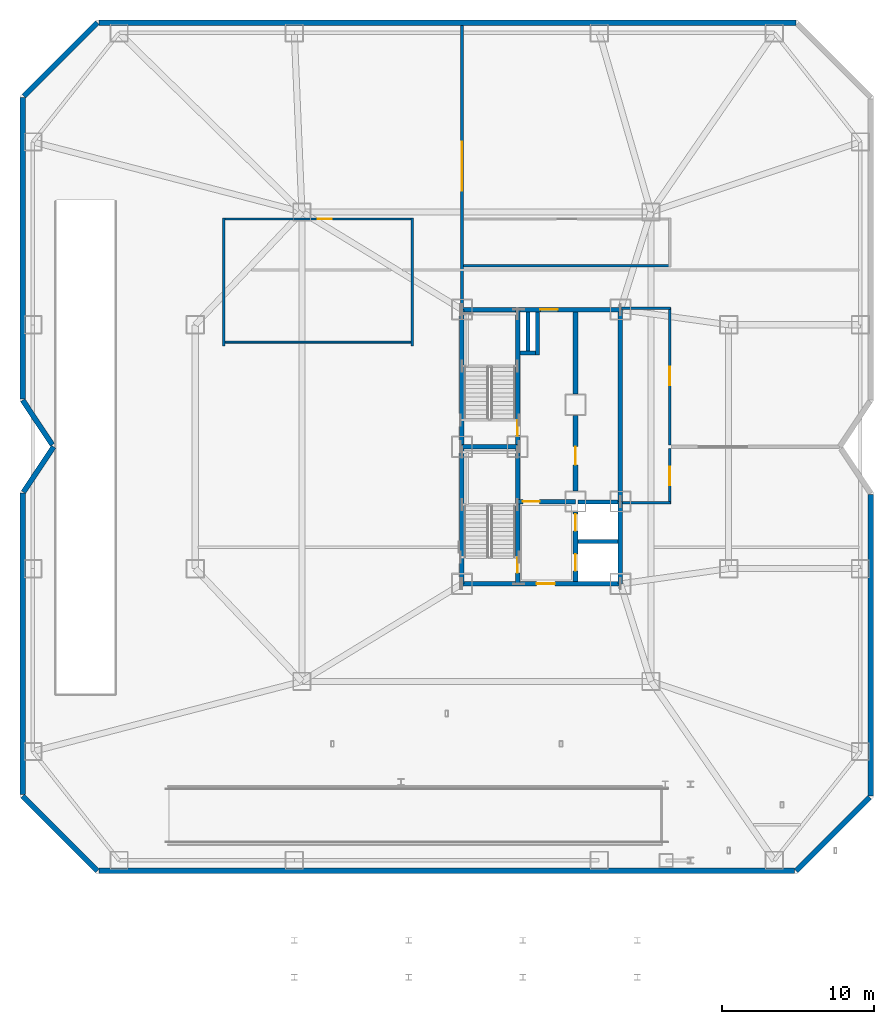
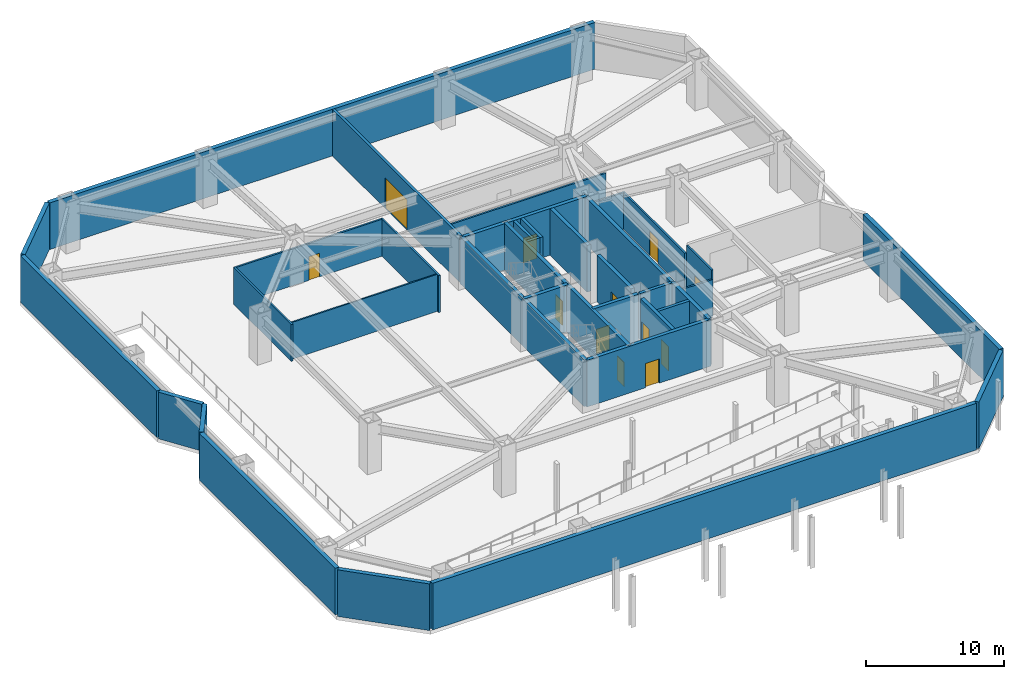
# One storey, part 9 of 14: 38 walls, 12 doors, 12 openings.
"""IFC4 building model written with IfcOpenShell, lengths in metres."""

from ifc_helpers import new_model, si_unit, direction, frame, frame_2d, origin, place, context, subcontext, project, spatial, rectangle, extrude, material, layer, layer_set, type_object, element, fill, save


model = new_model("IFC4")

# Units and contexts
model_context = context("Model", 3, precision=1e-05, world=origin(), true_north=direction((0.0, 1.0)))
body_context = subcontext(model_context, "Body", "Model", "MODEL_VIEW")
ifc_project = project(units=[si_unit("LENGTHUNIT", "METRE"), si_unit("AREAUNIT", "SQUARE_METRE"), si_unit("VOLUMEUNIT", "CUBIC_METRE"), si_unit("PLANEANGLEUNIT", "RADIAN"), si_unit("MASSUNIT", "GRAM", prefix="KILO")], contexts=[model_context])

# Site, building, storey
site_placement = place(None, origin())
site = spatial("IfcSite", under=ifc_project, at=site_placement, CompositionType="ELEMENT")
building_placement = place(site_placement, origin())
building = spatial("IfcBuilding", under=site, at=building_placement, Name="Khamvora Tower", CompositionType="ELEMENT")
storey_placement = place(building_placement, frame((0.0, 0.0, -4.5)))
storey = spatial("IfcBuildingStorey", under=building, at=storey_placement, Name="B1", CompositionType="ELEMENT", Elevation=-4.5)

# Walls
ifc_material_1 = material(Name="Concrete C50/60", Category="concrete")
ifc_layer_1 = layer(ifc_material_1, 0.300048828125)
ifc_layer_set_1 = layer_set([ifc_layer_1], Name="Concrete C50/60")
wall_type_1 = type_object("IfcWallType", Name="WAL-CORE-300", PredefinedType="SHEAR", material=ifc_layer_set_1)
for number, where, z_axis, x_axis, name in (
    (1, (29.0, 19.0, 0.0), (0.0, 0.0, 1.0), (0.0, 1.0, 0.0), "B1 central core west south wall"),
    (2, (29.0, 28.0, 0.0), (0.0, 0.0, 1.0), (0.0, 1.0, 0.0), "B1 central core west north wall"),
):
    element("IfcWall", number, at=place(storey_placement, frame(where, z_axis=z_axis, x_axis=x_axis)), inside=storey, type_object=wall_type_1, Name=name, PredefinedType="SHEAR", context=body_context, shape_type="SweptSolid", body=[
        extrude(rectangle(XDim=9.0, YDim=0.300048828125, at=frame_2d((4.5, 0.0))), origin(), (0.0, 0.0, 1.0), 4.139892578125),
    ])

# Wall, opening, door
wall_1_placement = place(storey_placement, frame((29.0, 19.0, 0.0), z_axis=(0.0, 0.0, 1.0), x_axis=(1.0, 0.0, 0.0)))
wall_1 = element("IfcWall", 3, at=wall_1_placement, inside=storey, type_object=wall_type_1, Name="B1 central core south wall", PredefinedType="SHEAR", context=body_context, shape_type="SweptSolid", body=[
    extrude(rectangle(XDim=10.39990234375, YDim=0.300048828125, at=frame_2d((5.199951171875, 0.0))), origin(), (0.0, 0.0, 1.0), 4.139892578125),
])
opening_1_placement = place(wall_1_placement, frame((4.89990234375, 0.0, 0.0)))
opening_1 = element("IfcOpeningElement", 4, at=opening_1_placement, cuts=wall_1, Name="Opening D-CR1", PredefinedType="OPENING", context=body_context, shape_type="SweptSolid", body=[
    extrude(rectangle(XDim=1.199951171875, YDim=2.14990234375, at=frame_2d((0.60009765625, 1.074951171875))), frame((0.0, 0.159912109375, 0.0), z_axis=(0.0, -1.0, 0.0), x_axis=(1.0, 0.0, 0.0)), (0.0, 0.0, 1.0), 0.320068359375),
])
ifc_material_2 = material(Name="Powder-Coated Steel and Hardwood Leaf", Category="steel")
door_type_1 = type_object("IfcDoorType", Name="DOR-CORR-1200", OperationType="NOTDEFINED", PredefinedType="DOOR", material=ifc_material_2)
door_1_placement = place(opening_1_placement, origin())
door_1 = element("IfcDoor", 5, at=door_1_placement, inside=storey, type_object=door_type_1, Name="B1 south core lobby to corridor fire door", OperationType="SINGLE_SWING_LEFT", OverallHeight=2.14990234375, OverallWidth=1.199951171875, PredefinedType="DOOR", context=body_context, shape_type="SweptSolid", body=[
    extrude(rectangle(XDim=1.199951171875, YDim=2.14990234375, at=frame_2d((0.60009765625, 1.074951171875))), frame((0.0, 0.02490234375, 0.0), z_axis=(0.0, -1.0, 0.0), x_axis=(1.0, 0.0, 0.0)), (0.0, 0.0, 1.0), 0.050048828125),
])
fill(opening_1, door_1)

wall_2_placement = place(storey_placement, frame((29.0, 37.0, 0.0), z_axis=(0.0, 0.0, 1.0), x_axis=(1.0, 0.0, 0.0)))
wall_2 = element("IfcWall", 6, at=wall_2_placement, inside=storey, type_object=wall_type_1, Name="B1 central core north wall", PredefinedType="SHEAR", context=body_context, shape_type="SweptSolid", body=[
    extrude(rectangle(XDim=10.39990234375, YDim=0.300048828125, at=frame_2d((5.199951171875, 0.0))), origin(), (0.0, 0.0, 1.0), 4.139892578125),
])
opening_2_placement = place(wall_2_placement, frame((5.139892578125, 0.0, 0.0)))
opening_2 = element("IfcOpeningElement", 7, at=opening_2_placement, cuts=wall_2, Name="Opening D-SC1", PredefinedType="OPENING", context=body_context, shape_type="SweptSolid", body=[
    extrude(rectangle(XDim=1.14990234375, YDim=2.199951171875, at=frame_2d((0.574951171875, 1.10009765625))), frame((0.0, 0.159912109375, 0.0), z_axis=(0.0, -1.0, 0.0), x_axis=(1.0, 0.0, 0.0)), (0.0, 0.0, 1.0), 0.320068359375),
])
door_type_2 = type_object("IfcDoorType", Name="DOR-SCHL-1150", OperationType="NOTDEFINED", PredefinedType="DOOR", material=ifc_material_2)
door_2_placement = place(opening_2_placement, origin())
door_2 = element("IfcDoor", 8, at=door_2_placement, inside=storey, type_object=door_type_2, Name="B1 north core lobby to corridor fire door", OperationType="SINGLE_SWING_RIGHT", OverallHeight=2.199951171875, OverallWidth=1.14990234375, PredefinedType="DOOR", context=body_context, shape_type="SweptSolid", body=[
    extrude(rectangle(XDim=1.14990234375, YDim=2.199951171875, at=frame_2d((0.574951171875, 1.10009765625))), frame((0.0, 0.02490234375, 0.0), z_axis=(0.0, -1.0, 0.0), x_axis=(1.0, 0.0, 0.0)), (0.0, 0.0, 1.0), 0.050048828125),
])
fill(opening_2, door_2)

# Walls
wall_3_placement = place(storey_placement, frame((39.39990234375, 19.0, 0.0), z_axis=(0.0, 0.0, 1.0), x_axis=(0.0, 1.0, 0.0)))
element("IfcWall", 9, at=wall_3_placement, inside=storey, type_object=wall_type_1, Name="B1 central core east south wall", PredefinedType="SHEAR", context=body_context, shape_type="SweptSolid", body=[
    extrude(rectangle(XDim=5.39990234375, YDim=0.300048828125, at=frame_2d((2.699951171875, 0.0))), origin(), (0.0, 0.0, 1.0), 4.139892578125),
])
wall_4_placement = place(storey_placement, frame((39.39990234375, 24.39990234375, 0.0), z_axis=(0.0, 0.0, 1.0), x_axis=(0.0, 1.0, 0.0)))
element("IfcWall", 10, at=wall_4_placement, inside=storey, type_object=wall_type_1, Name="B1 central core east north wall", PredefinedType="SHEAR", context=body_context, shape_type="SweptSolid", body=[
    extrude(rectangle(XDim=12.60009765625, YDim=0.300048828125, at=frame_2d((6.300048828125, 0.0))), origin(), (0.0, 0.0, 1.0), 4.139892578125),
])

# Wall, opening, door
wall_5_placement = place(storey_placement, frame((32.64990234375, 19.0, 0.0), z_axis=(0.0, 0.0, 1.0), x_axis=(0.0, 1.0, 0.0)))
wall_5 = element("IfcWall", 11, at=wall_5_placement, inside=storey, type_object=wall_type_1, Name="B1 central core stair south spine wall", PredefinedType="SHEAR", context=body_context, shape_type="SweptSolid", body=[
    extrude(rectangle(XDim=9.0, YDim=0.300048828125, at=frame_2d((4.5, 0.0))), origin(), (0.0, 0.0, 1.0), 4.139892578125),
])
opening_3_placement = place(wall_5_placement, frame((0.719970703125, 0.0, 0.0)))
opening_3 = element("IfcOpeningElement", 12, at=opening_3_placement, cuts=wall_5, Name="Opening D-ST1", PredefinedType="OPENING", context=body_context, shape_type="SweptSolid", body=[
    extrude(rectangle(XDim=1.0, YDim=2.14990234375, at=frame_2d((0.5, 1.074951171875))), frame((0.0, 0.159912109375, 0.0), z_axis=(0.0, -1.0, 0.0), x_axis=(1.0, 0.0, 0.0)), (0.0, 0.0, 1.0), 0.320068359375),
])
door_type_3 = type_object("IfcDoorType", Name="DOR-STAIR-1000", OperationType="NOTDEFINED", PredefinedType="DOOR", material=ifc_material_2)
door_3_placement = place(opening_3_placement, origin())
door_3 = element("IfcDoor", 13, at=door_3_placement, inside=storey, type_object=door_type_3, Name="B1 exit stair ST-01 fire door", OperationType="SINGLE_SWING_RIGHT", OverallHeight=2.14990234375, OverallWidth=1.0, PredefinedType="DOOR", context=body_context, shape_type="SweptSolid", body=[
    extrude(rectangle(XDim=1.0, YDim=2.14990234375, at=frame_2d((0.5, 1.074951171875))), frame((0.0, 0.02490234375, 0.0), z_axis=(0.0, -1.0, 0.0), x_axis=(1.0, 0.0, 0.0)), (0.0, 0.0, 1.0), 0.050048828125),
])
fill(opening_3, door_3)

wall_6_placement = place(storey_placement, frame((32.64990234375, 28.0, 0.0), z_axis=(0.0, 0.0, 1.0), x_axis=(0.0, 1.0, 0.0)))
wall_6 = element("IfcWall", 14, at=wall_6_placement, inside=storey, type_object=wall_type_1, Name="B1 central core stair north spine wall", PredefinedType="SHEAR", context=body_context, shape_type="SweptSolid", body=[
    extrude(rectangle(XDim=9.0, YDim=0.300048828125, at=frame_2d((4.5, 0.0))), origin(), (0.0, 0.0, 1.0), 4.139892578125),
])
opening_4_placement = place(wall_6_placement, frame((0.719970703125, 0.0, 0.0)))
opening_4 = element("IfcOpeningElement", 15, at=opening_4_placement, cuts=wall_6, Name="Opening D-ST1", PredefinedType="OPENING", context=body_context, shape_type="SweptSolid", body=[
    extrude(rectangle(XDim=1.0, YDim=2.14990234375, at=frame_2d((0.5, 1.074951171875))), frame((0.0, 0.159912109375, 0.0), z_axis=(0.0, -1.0, 0.0), x_axis=(1.0, 0.0, 0.0)), (0.0, 0.0, 1.0), 0.320068359375),
])
door_4_placement = place(opening_4_placement, origin())
door_4 = element("IfcDoor", 16, at=door_4_placement, inside=storey, type_object=door_type_3, Name="B1 exit stair ST-02 fire door", OperationType="SINGLE_SWING_RIGHT", OverallHeight=2.14990234375, OverallWidth=1.0, PredefinedType="DOOR", context=body_context, shape_type="SweptSolid", body=[
    extrude(rectangle(XDim=1.0, YDim=2.14990234375, at=frame_2d((0.5, 1.074951171875))), frame((0.0, 0.02490234375, 0.0), z_axis=(0.0, -1.0, 0.0), x_axis=(1.0, 0.0, 0.0)), (0.0, 0.0, 1.0), 0.050048828125),
])
fill(opening_4, door_4)

# Wall
wall_7_placement = place(storey_placement, frame((29.0, 28.0, 0.0), z_axis=(0.0, 0.0, 1.0), x_axis=(1.0, 0.0, 0.0)))
element("IfcWall", 17, at=wall_7_placement, inside=storey, type_object=wall_type_1, Name="B1 central core stair cross wall", PredefinedType="SHEAR", context=body_context, shape_type="SweptSolid", body=[
    extrude(rectangle(XDim=3.64990234375, YDim=0.300048828125, at=frame_2d((1.824951171875, 0.0))), origin(), (0.0, 0.0, 1.0), 4.139892578125),
])

# Wall, opening, door
wall_8_placement = place(storey_placement, frame((32.64990234375, 24.39990234375, 0.0), z_axis=(0.0, 0.0, 1.0), x_axis=(1.0, 0.0, 0.0)))
wall_8 = element("IfcWall", 18, at=wall_8_placement, inside=storey, type_object=wall_type_1, Name="B1 central core firefighting lobby north wall", PredefinedType="SHEAR", context=body_context, shape_type="SweptSolid", body=[
    extrude(rectangle(XDim=3.800048828125, YDim=0.300048828125, at=frame_2d((1.89990234375, 0.0))), origin(), (0.0, 0.0, 1.0), 4.139892578125),
])
opening_5_placement = place(wall_8_placement, frame((0.35009765625, 0.0, 0.0)))
opening_5 = element("IfcOpeningElement", 19, at=opening_5_placement, cuts=wall_8, Name="Opening D-FF1", PredefinedType="OPENING", context=body_context, shape_type="SweptSolid", body=[
    extrude(rectangle(XDim=1.10009765625, YDim=2.14990234375, at=frame_2d((0.550048828125, 1.074951171875))), frame((0.0, 0.159912109375, 0.0), z_axis=(0.0, -1.0, 0.0), x_axis=(1.0, 0.0, 0.0)), (0.0, 0.0, 1.0), 0.320068359375),
])
door_type_4 = type_object("IfcDoorType", Name="DOR-FFLOB-1100", OperationType="NOTDEFINED", PredefinedType="DOOR", material=ifc_material_2)
door_5_placement = place(opening_5_placement, origin())
door_5 = element("IfcDoor", 20, at=door_5_placement, inside=storey, type_object=door_type_4, Name="B1 firefighting lobby smoke-seal fire door", OperationType="SINGLE_SWING_RIGHT", OverallHeight=2.14990234375, OverallWidth=1.10009765625, PredefinedType="DOOR", context=body_context, shape_type="SweptSolid", body=[
    extrude(rectangle(XDim=1.10009765625, YDim=2.14990234375, at=frame_2d((0.550048828125, 1.074951171875))), frame((0.0, 0.02490234375, 0.0), z_axis=(0.0, -1.0, 0.0), x_axis=(1.0, 0.0, 0.0)), (0.0, 0.0, 1.0), 0.050048828125),
])
fill(opening_5, door_5)

# Wall, openings, doors
wall_9_placement = place(storey_placement, frame((36.449951171875, 19.154052734375, 0.0), z_axis=(0.0, 0.0, 1.0), x_axis=(0.0, 1.0, 0.0)))
wall_9 = element("IfcWall", 21, at=wall_9_placement, inside=storey, type_object=wall_type_1, Name="B1 central core lift bank south wall", PredefinedType="SHEAR", context=body_context, shape_type="SweptSolid", body=[
    extrude(rectangle(XDim=4.5458984375, YDim=0.300048828125, at=frame_2d((2.27294921875, 0.0))), origin(), (0.0, 0.0, 1.0), 4.139892578125),
])
opening_6_placement = place(wall_9_placement, frame((0.696044921875, 0.0, 0.0)))
opening_6 = element("IfcOpeningElement", 22, at=opening_6_placement, cuts=wall_9, Name="Opening LD-FFL", PredefinedType="OPENING", context=body_context, shape_type="SweptSolid", body=[
    extrude(rectangle(XDim=1.10009765625, YDim=2.14990234375, at=frame_2d((0.550048828125, 1.074951171875))), frame((0.0, 0.159912109375, 0.0), z_axis=(0.0, -1.0, 0.0), x_axis=(1.0, 0.0, 0.0)), (0.0, 0.0, 1.0), 0.320068359375),
])
opening_7_placement = place(wall_9_placement, frame((3.31591796875, 0.0, 0.0)))
opening_7 = element("IfcOpeningElement", 23, at=opening_7_placement, cuts=wall_9, Name="Opening LD-FFL", PredefinedType="OPENING", context=body_context, shape_type="SweptSolid", body=[
    extrude(rectangle(XDim=1.10009765625, YDim=2.14990234375, at=frame_2d((0.550048828125, 1.074951171875))), frame((0.0, 0.159912109375, 0.0), z_axis=(0.0, -1.0, 0.0), x_axis=(1.0, 0.0, 0.0)), (0.0, 0.0, 1.0), 0.320068359375),
])
door_type_5 = type_object("IfcDoorType", Name="DOR-LIFT-1100", OperationType="SLIDING_TO_LEFT", PredefinedType="DOOR", material=ifc_material_2)
door_6_placement = place(opening_6_placement, origin())
door_6 = element("IfcDoor", 24, at=door_6_placement, inside=storey, type_object=door_type_5, Name="B1 lift landing sliding door FFL-01", OperationType="SLIDING_TO_LEFT", OverallHeight=2.14990234375, OverallWidth=1.10009765625, PredefinedType="DOOR", context=body_context, shape_type="SweptSolid", body=[
    extrude(rectangle(XDim=1.10009765625, YDim=2.14990234375, at=frame_2d((0.550048828125, 1.074951171875))), frame((0.0, 0.02490234375, 0.0), z_axis=(0.0, -1.0, 0.0), x_axis=(1.0, 0.0, 0.0)), (0.0, 0.0, 1.0), 0.050048828125),
])
fill(opening_6, door_6)
door_7_placement = place(opening_7_placement, origin())
door_7 = element("IfcDoor", 25, at=door_7_placement, inside=storey, type_object=door_type_5, Name="B1 lift landing sliding door FFL-02", OperationType="SLIDING_TO_LEFT", OverallHeight=2.14990234375, OverallWidth=1.10009765625, PredefinedType="DOOR", context=body_context, shape_type="SweptSolid", body=[
    extrude(rectangle(XDim=1.10009765625, YDim=2.14990234375, at=frame_2d((0.550048828125, 1.074951171875))), frame((0.0, 0.02490234375, 0.0), z_axis=(0.0, -1.0, 0.0), x_axis=(1.0, 0.0, 0.0)), (0.0, 0.0, 1.0), 0.050048828125),
])
fill(opening_7, door_7)

# Wall, opening, door
wall_10_placement = place(storey_placement, frame((36.449951171875, 25.10009765625, 0.0), z_axis=(0.0, 0.0, 1.0), x_axis=(0.0, 1.0, 0.0)))
wall_10 = element("IfcWall", 26, at=wall_10_placement, inside=storey, type_object=wall_type_1, Name="B1 central core lift bank central wall", PredefinedType="SHEAR", context=body_context, shape_type="SweptSolid", body=[
    extrude(rectangle(XDim=4.949951171875, YDim=0.300048828125, at=frame_2d((2.47509765625, 0.0))), origin(), (0.0, 0.0, 1.0), 4.139892578125),
])
opening_8_placement = place(wall_10_placement, frame((1.699951171875, 0.0, 0.0)))
opening_8 = element("IfcOpeningElement", 27, at=opening_8_placement, cuts=wall_10, Name="Opening D-PL1", PredefinedType="OPENING", context=body_context, shape_type="SweptSolid", body=[
    extrude(rectangle(XDim=1.199951171875, YDim=2.14990234375, at=frame_2d((0.60009765625, 1.074951171875))), frame((0.0, 0.159912109375, 0.0), z_axis=(0.0, -1.0, 0.0), x_axis=(1.0, 0.0, 0.0)), (0.0, 0.0, 1.0), 0.320068359375),
])
door_type_6 = type_object("IfcDoorType", Name="DOR-PLNT-1200", OperationType="NOTDEFINED", PredefinedType="DOOR", material=ifc_material_2)
door_8_placement = place(opening_8_placement, origin())
door_8 = element("IfcDoor", 28, at=door_8_placement, inside=storey, type_object=door_type_6, Name="B1 basement riser room fire door", OperationType="SINGLE_SWING_LEFT", OverallHeight=2.14990234375, OverallWidth=1.199951171875, PredefinedType="DOOR", context=body_context, shape_type="SweptSolid", body=[
    extrude(rectangle(XDim=1.199951171875, YDim=2.14990234375, at=frame_2d((0.60009765625, 1.074951171875))), frame((0.0, 0.02490234375, 0.0), z_axis=(0.0, -1.0, 0.0), x_axis=(1.0, 0.0, 0.0)), (0.0, 0.0, 1.0), 0.050048828125),
])
fill(opening_8, door_8)

# Walls
wall_11_placement = place(storey_placement, frame((36.449951171875, 31.449951171875, 0.0), z_axis=(0.0, 0.0, 1.0), x_axis=(0.0, 1.0, 0.0)))
element("IfcWall", 29, at=wall_11_placement, inside=storey, type_object=wall_type_1, Name="B1 central core lift bank north wall", PredefinedType="SHEAR", context=body_context, shape_type="SweptSolid", body=[
    extrude(rectangle(XDim=5.39599609375, YDim=0.300048828125, at=frame_2d((2.697998046875, 0.0))), origin(), (0.0, 0.0, 1.0), 4.139892578125),
])
ifc_material_3 = material(Name="Fire-Rated Drywall and Steel Stud", Category="steel")
ifc_layer_2 = layer(ifc_material_3, 0.14990234375)
ifc_layer_set_2 = layer_set([ifc_layer_2], Name="Fire-Rated Drywall and Steel Stud")
wall_type_2 = type_object("IfcWallType", Name="WAL-CORR-150", PredefinedType="STANDARD", material=ifc_layer_set_2)
for number, where, z_axis, x_axis, name in (
    (30, (13.364990234375, 43.0, 0.0), (0.0, 0.0, 1.0), (0.0, -1.0, 0.0), "B1 interior partition wall 001"),
    (31, (25.735107421875, 34.60205078125, 0.0), (0.0, 0.0, 1.0), (0.0, 1.0, 0.0), "B1 interior partition wall 002"),
):
    element("IfcWall", number, at=place(storey_placement, frame(where, z_axis=z_axis, x_axis=x_axis)), inside=storey, type_object=wall_type_2, Name=name, PredefinedType="STANDARD", context=body_context, shape_type="SweptSolid", body=[
        extrude(rectangle(XDim=8.39794921875, YDim=0.14990234375, at=frame_2d((4.198974609375, 0.0))), origin(), (0.0, 0.0, 1.0), 3.27490234375),
    ])

# Wall, opening, door
wall_12_placement = place(storey_placement, frame((25.800048828125, 42.93505859375, 0.0), z_axis=(0.0, 0.0, 1.0), x_axis=(-1.0, 0.0, 0.0)))
wall_12 = element("IfcWall", 32, at=wall_12_placement, inside=storey, type_object=wall_type_2, Name="B1 interior partition wall 003", PredefinedType="STANDARD", context=body_context, shape_type="SweptSolid", body=[
    extrude(rectangle(XDim=12.498046875, YDim=0.14990234375, at=frame_2d((6.2490234375, 0.0))), origin(), (0.0, 0.0, 1.0), 3.27490234375),
])
opening_9_placement = place(wall_12_placement, frame((5.35888671875, 0.0, 0.0)))
opening_9 = element("IfcOpeningElement", 33, at=opening_9_placement, cuts=wall_12, Name="Opening D-RM1", PredefinedType="OPENING", context=body_context, shape_type="SweptSolid", body=[
    extrude(rectangle(XDim=0.89990234375, YDim=2.10009765625, at=frame_2d((0.449951171875, 1.050048828125))), frame((0.0, 0.0849609375, 0.0), z_axis=(0.0, -1.0, 0.0), x_axis=(1.0, 0.0, 0.0)), (0.0, 0.0, 1.0), 0.169921875),
])
door_type_7 = type_object("IfcDoorType", Name="DOR-ROOM-900", OperationType="NOTDEFINED", PredefinedType="DOOR", material=ifc_material_2)
door_9_placement = place(opening_9_placement, origin())
door_9 = element("IfcDoor", 34, at=door_9_placement, inside=storey, type_object=door_type_7, Name="B1 interior door DRV-BIC", OperationType="SINGLE_SWING_LEFT", OverallHeight=2.10009765625, OverallWidth=0.89990234375, PredefinedType="DOOR", context=body_context, shape_type="SweptSolid", body=[
    extrude(rectangle(XDim=0.89990234375, YDim=2.10009765625, at=frame_2d((0.449951171875, 1.050048828125))), frame((0.0, 0.02490234375, 0.0), z_axis=(0.0, -1.0, 0.0), x_axis=(1.0, 0.0, 0.0)), (0.0, 0.0, 1.0), 0.050048828125),
])
fill(opening_9, door_9)

# Wall
wall_13_placement = place(storey_placement, frame((39.5419921875, 24.31494140625, 0.0), z_axis=(0.0, 0.0, 1.0), x_axis=(1.0, 0.0, 0.0)))
element("IfcWall", 35, at=wall_13_placement, inside=storey, type_object=wall_type_2, Name="B1 interior partition wall 004", PredefinedType="STANDARD", context=body_context, shape_type="SweptSolid", body=[
    extrude(rectangle(XDim=3.157958984375, YDim=0.14990234375, at=frame_2d((1.5791015625, 0.0))), origin(), (0.0, 0.0, 1.0), 3.27490234375),
])

# Wall, opening, door
wall_14_placement = place(storey_placement, frame((42.635009765625, 24.25, 0.0), z_axis=(0.0, 0.0, 1.0), x_axis=(0.0, 1.0, 0.0)))
wall_14 = element("IfcWall", 36, at=wall_14_placement, inside=storey, type_object=wall_type_2, Name="B1 interior partition wall 005", PredefinedType="STANDARD", context=body_context, shape_type="SweptSolid", body=[
    extrude(rectangle(XDim=3.6298828125, YDim=0.14990234375, at=frame_2d((1.81494140625, 0.0))), origin(), (0.0, 0.0, 1.0), 4.139892578125),
])
opening_10_placement = place(wall_14_placement, frame((1.22802734375, 0.0, 0.0)))
opening_10 = element("IfcOpeningElement", 37, at=opening_10_placement, cuts=wall_14, Name="Opening D-PL1", PredefinedType="OPENING", context=body_context, shape_type="SweptSolid", body=[
    extrude(rectangle(XDim=1.199951171875, YDim=2.14990234375, at=frame_2d((0.60009765625, 1.074951171875))), frame((0.0, 0.0849609375, 0.0), z_axis=(0.0, -1.0, 0.0), x_axis=(1.0, 0.0, 0.0)), (0.0, 0.0, 1.0), 0.169921875),
])
door_10_placement = place(opening_10_placement, origin())
door_10 = element("IfcDoor", 38, at=door_10_placement, inside=storey, type_object=door_type_6, Name="B1 interior door DRV-SUB", OperationType="SINGLE_SWING_LEFT", OverallHeight=2.14990234375, OverallWidth=1.199951171875, PredefinedType="DOOR", context=body_context, shape_type="SweptSolid", body=[
    extrude(rectangle(XDim=1.199951171875, YDim=2.14990234375, at=frame_2d((0.60009765625, 1.074951171875))), frame((0.0, 0.02490234375, 0.0), z_axis=(0.0, -1.0, 0.0), x_axis=(1.0, 0.0, 0.0)), (0.0, 0.0, 1.0), 0.050048828125),
])
fill(opening_10, door_10)

wall_15_placement = place(storey_placement, frame((42.635009765625, 28.1201171875, 0.0), z_axis=(0.0, 0.0, 1.0), x_axis=(0.0, 1.0, 0.0)))
wall_15 = element("IfcWall", 39, at=wall_15_placement, inside=storey, type_object=wall_type_2, Name="B1 interior partition wall 006", PredefinedType="STANDARD", context=body_context, shape_type="SweptSolid", body=[
    extrude(rectangle(XDim=9.02978515625, YDim=0.14990234375, at=frame_2d((4.514892578125, 0.0))), origin(), (0.0, 0.0, 1.0), 3.27490234375),
])
opening_11_placement = place(wall_15_placement, frame((3.9150390625, 0.0, 0.0)))
opening_11 = element("IfcOpeningElement", 40, at=opening_11_placement, cuts=wall_15, Name="Opening D-PL1", PredefinedType="OPENING", context=body_context, shape_type="SweptSolid", body=[
    extrude(rectangle(XDim=1.199951171875, YDim=2.14990234375, at=frame_2d((0.60009765625, 1.074951171875))), frame((0.0, 0.0849609375, 0.0), z_axis=(0.0, -1.0, 0.0), x_axis=(1.0, 0.0, 0.0)), (0.0, 0.0, 1.0), 0.169921875),
])
door_11_placement = place(opening_11_placement, origin())
door_11 = element("IfcDoor", 41, at=door_11_placement, inside=storey, type_object=door_type_6, Name="B1 interior door DRVN-SUB", OperationType="SINGLE_SWING_RIGHT", OverallHeight=2.14990234375, OverallWidth=1.199951171875, PredefinedType="DOOR", context=body_context, shape_type="SweptSolid", body=[
    extrude(rectangle(XDim=1.199951171875, YDim=2.14990234375, at=frame_2d((0.60009765625, 1.074951171875))), frame((0.0, 0.02490234375, 0.0), z_axis=(0.0, -1.0, 0.0), x_axis=(1.0, 0.0, 0.0)), (0.0, 0.0, 1.0), 0.050048828125),
])
fill(opening_11, door_11)

# Walls
wall_16_placement = place(storey_placement, frame((42.699951171875, 37.0849609375, 0.0), z_axis=(0.0, 0.0, 1.0), x_axis=(-1.0, 0.0, 0.0)))
element("IfcWall", 42, at=wall_16_placement, inside=storey, type_object=wall_type_2, Name="B1 interior partition wall 007", PredefinedType="STANDARD", context=body_context, shape_type="SweptSolid", body=[
    extrude(rectangle(XDim=3.242919921875, YDim=0.14990234375, at=frame_2d((1.62158203125, 0.0))), origin(), (0.0, 0.0, 1.0), 3.27490234375),
])
wall_17_placement = place(storey_placement, frame((29.10400390625, 39.864990234375, 0.0), z_axis=(0.0, 0.0, 1.0), x_axis=(1.0, 0.0, 0.0)))
element("IfcWall", 43, at=wall_17_placement, inside=storey, type_object=wall_type_2, Name="B1 interior partition wall 010", PredefinedType="STANDARD", context=body_context, shape_type="SweptSolid", body=[
    extrude(rectangle(XDim=13.595947265625, YDim=0.14990234375, at=frame_2d((6.7978515625, 0.0))), origin(), (0.0, 0.0, 1.0), 3.27490234375),
])
ifc_material_4 = material(Name="Gypsum Plasterboard Partition", Category="gypsum")
ifc_layer_3 = layer(ifc_material_4, 0.1201171875)
ifc_layer_set_3 = layer_set([ifc_layer_3], Name="Gypsum Plasterboard Partition")
wall_type_3 = type_object("IfcWallType", Name="WAL-PART-120", PredefinedType="PARTITIONING", material=ifc_layer_set_3)
wall_18_placement = place(storey_placement, frame((13.431884765625, 34.864990234375, 0.0), z_axis=(0.0, 0.0, 1.0), x_axis=(1.0, 0.0, 0.0)))
element("IfcWall", 44, at=wall_18_placement, inside=storey, type_object=wall_type_3, Name="B1 interior partition wall 011", PredefinedType="PARTITIONING", context=body_context, shape_type="SweptSolid", body=[
    extrude(rectangle(XDim=12.236083984375, YDim=0.1201171875, at=frame_2d((6.1181640625, 0.0))), origin(), (0.0, 0.0, 1.0), 3.27490234375),
])
ifc_material_5 = material(Name="Concrete C40/50", Category="concrete")
ifc_layer_4 = layer(ifc_material_5, 0.25)
ifc_layer_set_4 = layer_set([ifc_layer_4], Name="Concrete C40/50")
wall_type_4 = type_object("IfcWallType", Name="WAL-PODS-250", PredefinedType="SHEAR", material=ifc_layer_set_4)
for number, where, z_axis, x_axis, name in (
    (45, (36.60400390625, 21.77490234375, 0.0), (0.0, 0.0, 1.0), (1.0, 0.0, 0.0), "B1 lift shaft divider wall FFL-01"),
    (46, (36.60400390625, 24.375, 0.0), (0.0, 0.0, 1.0), (1.0, 0.0, 0.0), "B1 lift shaft divider wall FFL-02"),
):
    element("IfcWall", number, at=place(storey_placement, frame(where, z_axis=z_axis, x_axis=x_axis)), inside=storey, type_object=wall_type_4, Name=name, PredefinedType="SHEAR", context=body_context, shape_type="SweptSolid", body=[
        extrude(rectangle(XDim=2.64208984375, YDim=0.25, at=frame_2d((1.321044921875, 0.0))), origin(), (0.0, 0.0, 1.0), 4.139892578125),
    ])
wall_19_placement = place(storey_placement, frame((33.955078125, 34.02490234375, 0.0), z_axis=(0.0, 0.0, 1.0), x_axis=(0.0, 1.0, 0.0)))
element("IfcWall", 47, at=wall_19_placement, inside=storey, type_object=wall_type_4, Name="B1 vertical MEP riser shaft east enclosure wall", PredefinedType="SHEAR", context=body_context, shape_type="SweptSolid", body=[
    extrude(rectangle(XDim=2.821044921875, YDim=0.25, at=frame_2d((1.41064453125, 0.0))), origin(), (0.0, 0.0, 1.0), 4.139892578125),
])
wall_20_placement = place(storey_placement, frame((32.803955078125, 34.14990234375, 0.0), z_axis=(0.0, 0.0, 1.0), x_axis=(1.0, 0.0, 0.0)))
element("IfcWall", 48, at=wall_20_placement, inside=storey, type_object=wall_type_4, Name="B1 vertical MEP riser shaft south enclosure wall", PredefinedType="SHEAR", context=body_context, shape_type="SweptSolid", body=[
    extrude(rectangle(XDim=1.02197265625, YDim=0.25, at=frame_2d((0.510986328125, 0.0))), origin(), (0.0, 0.0, 1.0), 4.139892578125),
])
wall_21_placement = place(storey_placement, frame((33.340087890625, 34.279052734375, 0.0), z_axis=(0.0, 0.0, 1.0), x_axis=(0.0, 1.0, 0.0)))
element("IfcWall", 49, at=wall_21_placement, inside=storey, type_object=wall_type_4, Name="B1 vertical MEP riser shaft divider enclosure wall", PredefinedType="SHEAR", context=body_context, shape_type="SweptSolid", body=[
    extrude(rectangle(XDim=2.56689453125, YDim=0.25, at=frame_2d((1.283447265625, 0.0))), origin(), (0.0, 0.0, 1.0), 4.139892578125),
])
ifc_layer_5 = layer(ifc_material_5, 0.35009765625)
ifc_layer_set_5 = layer_set([ifc_layer_5], Name="Concrete C40/50")
wall_type_5 = type_object("IfcWallType", Name="WAL-RET-350", PredefinedType="USERDEFINED", material=ifc_layer_set_5)
wall_22_placement = place(storey_placement, frame((5.072021484375, 0.175048828125, 0.0), z_axis=(0.0, 0.0, 1.0), x_axis=(-0.707106781187, 0.707106781187, 0.0)))
element("IfcWall", 50, at=wall_22_placement, inside=storey, type_object=wall_type_5, Name="B1 perimeter retaining wall 01.1", ObjectType="RETAININGWALL", PredefinedType="USERDEFINED", context=body_context, shape_type="SweptSolid", body=[
    extrude(rectangle(XDim=6.92529296875, YDim=0.35009765625, at=frame_2d((3.462646484375, 0.0))), origin(), (0.0, 0.0, 1.0), 4.139892578125),
])
wall_23_placement = place(storey_placement, frame((0.175048828125, 5.18896484375, 0.0), z_axis=(0.0, 0.0, 1.0), x_axis=(0.0, 1.0, 0.0)))
element("IfcWall", 51, at=wall_23_placement, inside=storey, type_object=wall_type_5, Name="B1 perimeter retaining wall 02.1", ObjectType="RETAININGWALL", PredefinedType="USERDEFINED", context=body_context, shape_type="SweptSolid", body=[
    extrude(rectangle(XDim=19.758056640625, YDim=0.35009765625, at=frame_2d((9.87890625, 0.0))), origin(), (0.0, 0.0, 1.0), 4.139892578125),
])
wall_24_placement = place(storey_placement, frame((0.222900390625, 25.01904296875, 0.0), z_axis=(0.0, 0.0, 1.0), x_axis=(0.554653016251, 0.832081745722, 0.0)))
element("IfcWall", 52, at=wall_24_placement, inside=storey, type_object=wall_type_5, Name="B1 perimeter retaining wall 03.1", ObjectType="RETAININGWALL", PredefinedType="USERDEFINED", context=body_context, shape_type="SweptSolid", body=[
    extrude(rectangle(XDim=3.58251953125, YDim=0.35009765625, at=frame_2d((1.791259765625, 0.0))), origin(), (0.0, 0.0, 1.0), 4.139892578125),
])
wall_25_placement = place(storey_placement, frame((2.1259765625, 28.1259765625, 0.0), z_axis=(0.0, 0.0, 1.0), x_axis=(-0.554620110277, 0.832103679403, 0.0)))
element("IfcWall", 53, at=wall_25_placement, inside=storey, type_object=wall_type_5, Name="B1 perimeter retaining wall 04.1", ObjectType="RETAININGWALL", PredefinedType="USERDEFINED", context=body_context, shape_type="SweptSolid", body=[
    extrude(rectangle(XDim=3.517578125, YDim=0.35009765625, at=frame_2d((1.7587890625, 0.0))), origin(), (0.0, 0.0, 1.0), 4.139892578125),
])
wall_26_placement = place(storey_placement, frame((0.175048828125, 31.14111328125, 0.0), z_axis=(0.0, 0.0, 1.0), x_axis=(0.0, 1.0, 0.0)))
element("IfcWall", 54, at=wall_26_placement, inside=storey, type_object=wall_type_5, Name="B1 perimeter retaining wall 05.1", ObjectType="RETAININGWALL", PredefinedType="USERDEFINED", context=body_context, shape_type="SweptSolid", body=[
    extrude(rectangle(XDim=19.786865234375, YDim=0.35009765625, at=frame_2d((9.8935546875, 0.0))), origin(), (0.0, 0.0, 1.0), 4.139892578125),
])
wall_27_placement = place(storey_placement, frame((0.2548828125, 51.008056640625, 0.0), z_axis=(0.0, 0.0, 1.0), x_axis=(0.707124700089, 0.70708886183, 0.0)))
element("IfcWall", 55, at=wall_27_placement, inside=storey, type_object=wall_type_5, Name="B1 perimeter retaining wall 06.1", ObjectType="RETAININGWALL", PredefinedType="USERDEFINED", context=body_context, shape_type="SweptSolid", body=[
    extrude(rectangle(XDim=6.812255859375, YDim=0.35009765625, at=frame_2d((3.40625, 0.0))), origin(), (0.0, 0.0, 1.0), 4.139892578125),
])
wall_28_placement = place(storey_placement, frame((5.18603515625, 55.824951171875, 0.0), z_axis=(0.0, 0.0, 1.0), x_axis=(1.0, 0.0, 0.0)))
element("IfcWall", 56, at=wall_28_placement, inside=storey, type_object=wall_type_5, Name="B1 perimeter retaining wall 07.1", ObjectType="RETAININGWALL", PredefinedType="USERDEFINED", context=body_context, shape_type="SweptSolid", body=[
    extrude(rectangle(XDim=45.741943359375, YDim=0.35009765625, at=frame_2d((22.87109375, 0.0))), origin(), (0.0, 0.0, 1.0), 4.139892578125),
])
wall_29_placement = place(storey_placement, frame((55.824951171875, 24.85888671875, 0.0), z_axis=(0.0, 0.0, 1.0), x_axis=(0.0, -1.0, 0.0)))
element("IfcWall", 57, at=wall_29_placement, inside=storey, type_object=wall_type_5, Name="B1 perimeter retaining wall 12.1", ObjectType="RETAININGWALL", PredefinedType="USERDEFINED", context=body_context, shape_type="SweptSolid", body=[
    extrude(rectangle(XDim=19.786865234375, YDim=0.35009765625, at=frame_2d((9.8935546875, 0.0))), origin(), (0.0, 0.0, 1.0), 4.139892578125),
])
wall_30_placement = place(storey_placement, frame((55.742919921875, 4.989990234375, 0.0), z_axis=(0.0, 0.0, 1.0), x_axis=(-0.707106781187, -0.707106781187, 0.0)))
element("IfcWall", 58, at=wall_30_placement, inside=storey, type_object=wall_type_5, Name="B1 perimeter retaining wall 13.1", ObjectType="RETAININGWALL", PredefinedType="USERDEFINED", context=body_context, shape_type="SweptSolid", body=[
    extrude(rectangle(XDim=6.809326171875, YDim=0.35009765625, at=frame_2d((3.40478515625, 0.0))), origin(), (0.0, 0.0, 1.0), 4.139892578125),
])
wall_31_placement = place(storey_placement, frame((50.81396484375, 0.175048828125, 0.0), z_axis=(0.0, 0.0, 1.0), x_axis=(-1.0, 0.0, 0.0)))
element("IfcWall", 59, at=wall_31_placement, inside=storey, type_object=wall_type_5, Name="B1 perimeter retaining wall 14.1", ObjectType="RETAININGWALL", PredefinedType="USERDEFINED", context=body_context, shape_type="SweptSolid", body=[
    extrude(rectangle(XDim=45.6279296875, YDim=0.35009765625, at=frame_2d((22.81396484375, 0.0))), origin(), (0.0, 0.0, 1.0), 4.139892578125),
])

# Wall, opening, door
ifc_material_6 = material(Name="Concrete C35/45", Category="concrete")
ifc_layer_6 = layer(ifc_material_6, 0.219970703125)
ifc_layer_set_6 = layer_set([ifc_layer_6], Name="Concrete C35/45")
wall_type_6 = type_object("IfcWallType", Name="WAL-VGATE-220", PredefinedType="STANDARD", material=ifc_layer_set_6)
wall_32_placement = place(storey_placement, frame((29.0, 37.154052734375, 0.0), z_axis=(0.0, 0.0, 1.0), x_axis=(0.0, 1.0, 0.0)))
wall_32 = element("IfcWall", 60, at=wall_32_placement, inside=storey, type_object=wall_type_6, Name="B1 north parking compartment shutter wall", PredefinedType="STANDARD", context=body_context, shape_type="SweptSolid", body=[
    extrude(rectangle(XDim=18.491943359375, YDim=0.219970703125, at=frame_2d((9.24609375, 0.0))), origin(), (0.0, 0.0, 1.0), 4.139892578125),
])
opening_12_placement = place(wall_32_placement, frame((7.64990234375, 0.0, 0.0)))
opening_12 = element("IfcOpeningElement", 61, at=opening_12_placement, cuts=wall_32, Name="Opening VD-03", PredefinedType="OPENING", context=body_context, shape_type="SweptSolid", body=[
    extrude(rectangle(XDim=3.199951171875, YDim=2.699951171875, at=frame_2d((1.60009765625, 1.35009765625))), frame((0.0, 0.119873046875, 0.0), z_axis=(0.0, -1.0, 0.0), x_axis=(1.0, 0.0, 0.0)), (0.0, 0.0, 1.0), 0.239990234375),
])
ifc_material_7 = material(Name="Galvanised Steel S355JR", Category="steel")
door_type_8 = type_object("IfcDoorType", Name="DOR-VEH-3200", OperationType="ROLLINGUP", PredefinedType="GATE", material=ifc_material_7)
door_12_placement = place(opening_12_placement, origin())
door_12 = element("IfcDoor", 62, at=door_12_placement, inside=storey, type_object=door_type_8, Name="B1 north parking zone security roller shutter", OperationType="ROLLINGUP", OverallHeight=2.699951171875, OverallWidth=3.199951171875, PredefinedType="GATE", context=body_context, shape_type="SweptSolid", body=[
    extrude(rectangle(XDim=3.199951171875, YDim=2.699951171875, at=frame_2d((1.60009765625, 1.35009765625))), frame((0.0, 0.02490234375, 0.0), z_axis=(0.0, -1.0, 0.0), x_axis=(1.0, 0.0, 0.0)), (0.0, 0.0, 1.0), 0.050048828125),
])
fill(opening_12, door_12)

save(model, "model.ifc")
